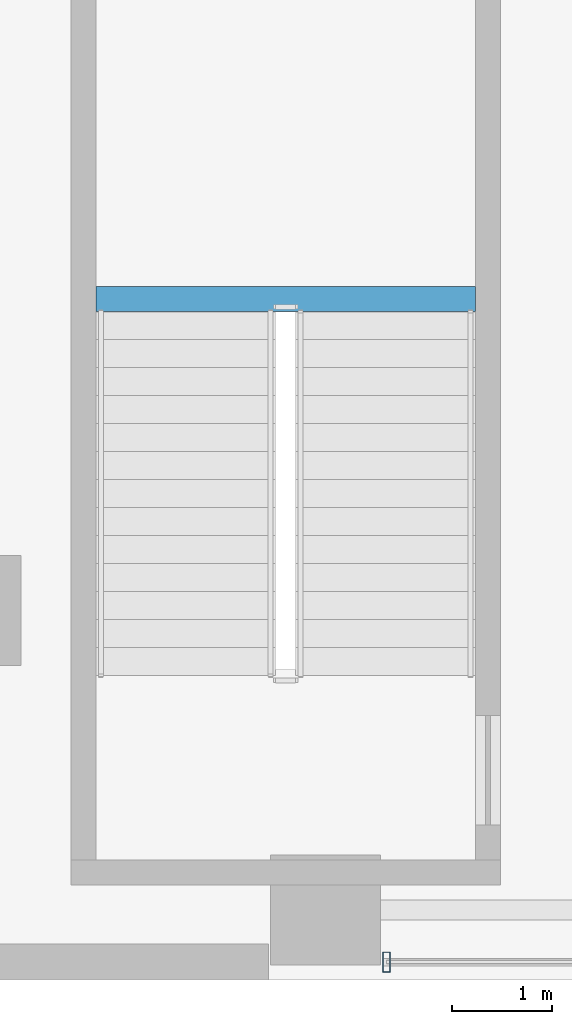
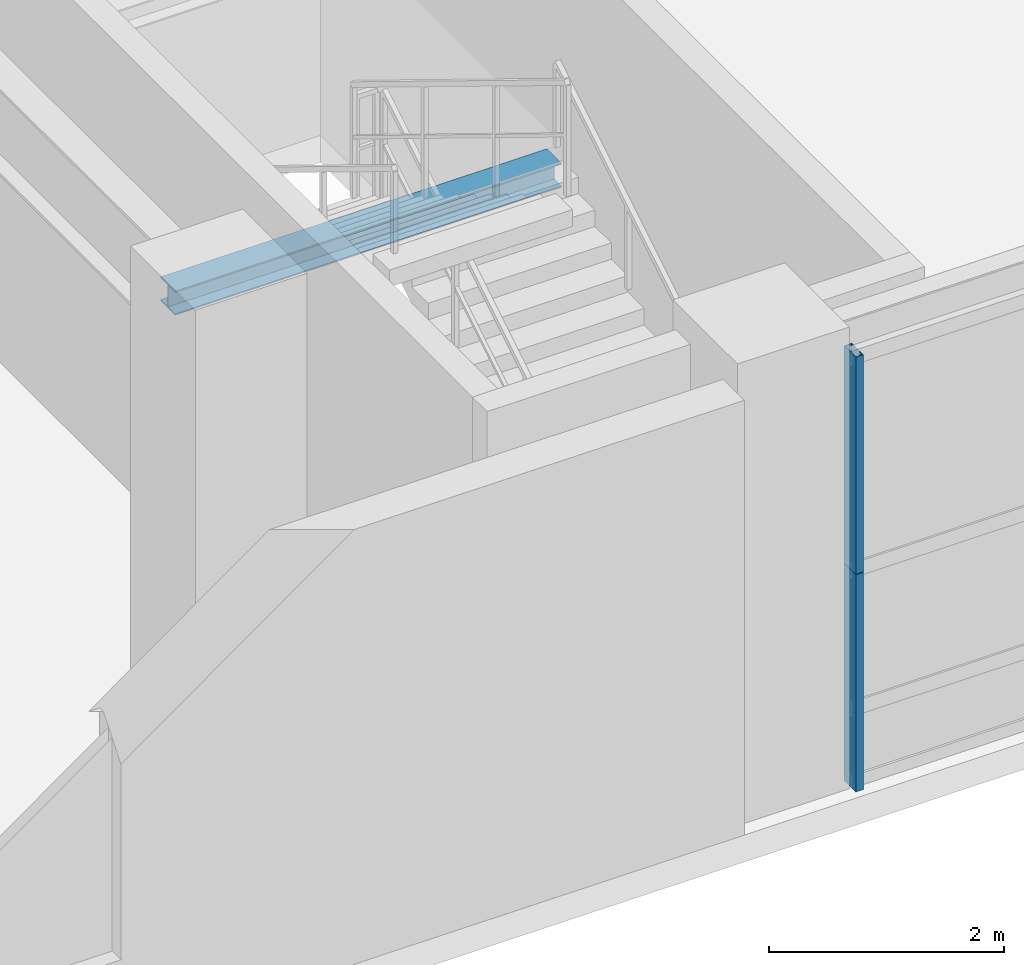
# One storey, part 4 of 38: 2 members, 1 beam, 1 element without a shape of its own.
"""IFC4 building model written with IfcOpenShell, lengths in metres."""

from ifc_helpers import new_model, si_unit, direction, frame, origin, origin_2d, place, context, subcontext, project, spatial, hollow_rectangle, i_section, extrude, source, transform, mapped, material, layer, layer_set, material_profile, profile_set, type_object, element, aggregate, save


model = new_model("IFC4")

# Units and contexts
model_context = context("Model", 3, precision=1e-05, world=origin(), true_north=direction((0.0, 1.0)))
body_context = subcontext(model_context, "Body", "Model", "MODEL_VIEW")
ifc_project = project(units=[si_unit("LENGTHUNIT", "METRE"), si_unit("AREAUNIT", "SQUARE_METRE"), si_unit("VOLUMEUNIT", "CUBIC_METRE"), si_unit("PLANEANGLEUNIT", "RADIAN"), si_unit("MASSUNIT", "GRAM", prefix="KILO"), si_unit("THERMODYNAMICTEMPERATUREUNIT", "KELVIN"), si_unit("POWERUNIT", "WATT")], contexts=[model_context])

# Site, building, storey
site_placement = place(None, origin())
site = spatial("IfcSite", under=ifc_project, at=site_placement, CompositionType="ELEMENT")
building_placement = place(site_placement, origin())
building = spatial("IfcBuilding", under=site, at=building_placement, Name="Yuzanri Waterfront Tower", CompositionType="ELEMENT")
storey_placement = place(building_placement, frame((0.0, 0.0, 10.199951171875)))
storey = spatial("IfcBuildingStorey", under=building, at=storey_placement, Name="L03", CompositionType="ELEMENT", Elevation=10.199951171875)

# Curtain wall, members
ifc_material_1 = material(Name="Anodized Architectural Bronze", Category="metal")
ifc_layer = layer(ifc_material_1, 0.159912109375)
ifc_layer_set = layer_set([ifc_layer], Name="Anodized Architectural Bronze")
curtain_wall_type = type_object("IfcCurtainWallType", Name="Anodized Bronze Podium Waterfront Double-Height Unitized Curtain Wall 8400", PredefinedType="NOTDEFINED", material=ifc_layer_set)
curtain_wall_placement = place(storey_placement, origin())
curtain_wall = element("IfcCurtainWall", 1, at=curtain_wall_placement, inside=storey, type_object=curtain_wall_type, Name="L03 Curtain Wall CW-L03-S1", PredefinedType="NOTDEFINED")
ifc_material_2 = material(Name="Anodized Architectural Bronze", Category="metal")
ifc_material_profile_1 = material_profile(ifc_material_2, hollow_rectangle(XDim=0.074951171875, YDim=0.199951171875, WallThickness=0.00390625, at=origin_2d()), Name="CWM 75x200")
ifc_profile_set_1 = profile_set([ifc_material_profile_1], Name="Anodized Architectural Bronze")
member_type = type_object("IfcMemberType", Name="Anodized Bronze Primary Curtain-Wall Mullion 75x200", PredefinedType="MULLION", material=ifc_profile_set_1)
shared_shape_1 = source(origin(), body_context, "Body", "SweptSolid", [
    extrude(hollow_rectangle(XDim=0.074951171875, YDim=0.199951171875, WallThickness=0.00390625, at=origin_2d()), origin(), (0.0, 0.0, 1.0), 2.258056640625),
])
member_1_placement = place(storey_placement, frame((16.110107421875, 1.97998046875, 0.0), z_axis=(0.0, 0.0, 1.0), x_axis=(1.0, 0.0, 0.0)))
member_1 = element("IfcMember", 2, at=member_1_placement, type_object=member_type, Name="CW-L03-S1 Lower Mullion 00", PredefinedType="MULLION", context=body_context, shape_type="MappedRepresentation", body=[
    mapped(shared_shape_1, transform((0.0, 0.0, 0.0), scale=1.0)),
])
member_2_placement = place(storey_placement, frame((16.110107421875, 1.97998046875, 2.261962890625), z_axis=(0.0, 0.0, 1.0), x_axis=(1.0, 0.0, 0.0)))
member_2 = element("IfcMember", 3, at=member_2_placement, type_object=member_type, Name="CW-L03-S1 Upper Mullion 00", PredefinedType="MULLION", context=body_context, shape_type="MappedRepresentation", body=[
    mapped(shared_shape_1, transform((0.0, 0.0, 0.0), scale=1.0)),
])
aggregate(curtain_wall, [member_1, member_2])

# Beam
ifc_material_3 = material(Name="Steel Q355B", Category="steel")
ifc_material_profile_2 = material_profile(ifc_material_3, i_section(OverallWidth=0.25, OverallDepth=0.25, WebThickness=0.009033203125, FlangeThickness=0.013916015625, at=origin_2d()), Name="HW 250x250x9x14")
ifc_profile_set_2 = profile_set([ifc_material_profile_2], Name="Steel Q355B")
beam_type = type_object("IfcBeamType", Name="Stair Landing Support Beam Q355B HW 250x250", PredefinedType="BEAM", material=ifc_profile_set_2)
shared_shape_2 = source(origin(), body_context, "Body", "SweptSolid", [
    extrude(i_section(OverallWidth=0.25, OverallDepth=0.25, WebThickness=0.009033203125, FlangeThickness=0.013916015625, at=origin_2d()), origin(), (0.0, 0.0, 1.0), 3.800048828125),
])
beam_placement = place(storey_placement, frame((13.199951171875, 8.6201171875, 2.074951171875), z_axis=(1.0, 0.0, 0.0), x_axis=(0.0, 1.0, 0.0)))
element("IfcBeam", 4, at=beam_placement, inside=storey, type_object=beam_type, Name="L03 Stair Landing Support Beam PST-01-L03-L1-1", PredefinedType="BEAM", context=body_context, shape_type="MappedRepresentation", body=[
    mapped(shared_shape_2, transform((0.0, 0.0, 0.0), scale=1.0)),
])

save(model, "model.ifc")
